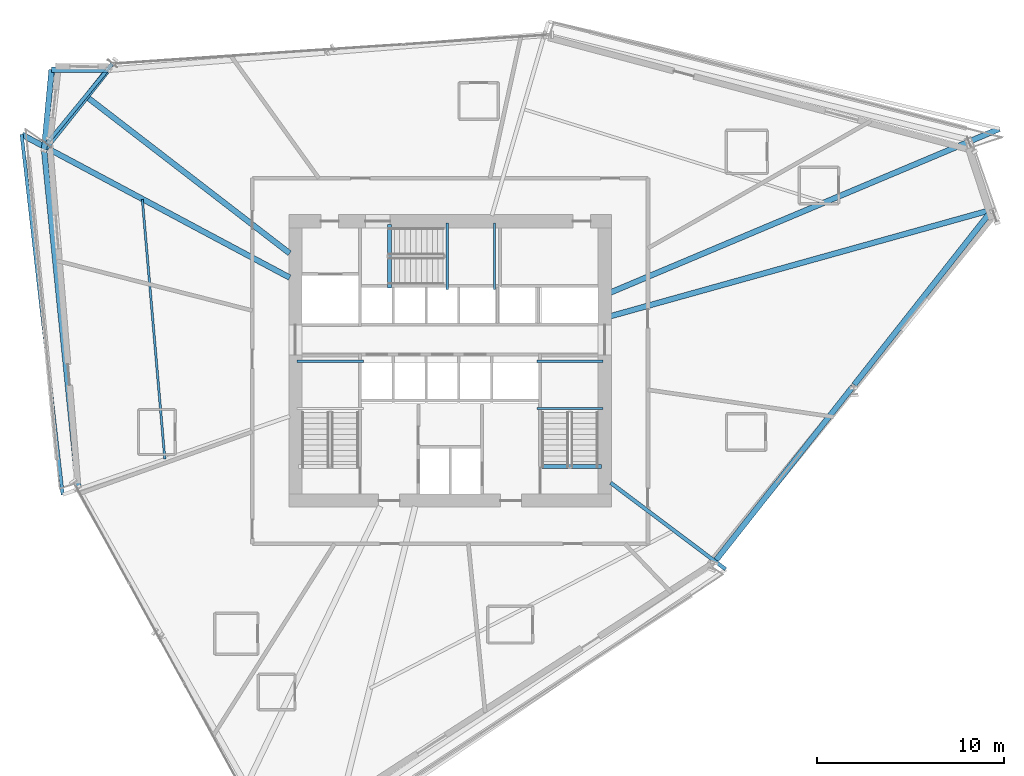
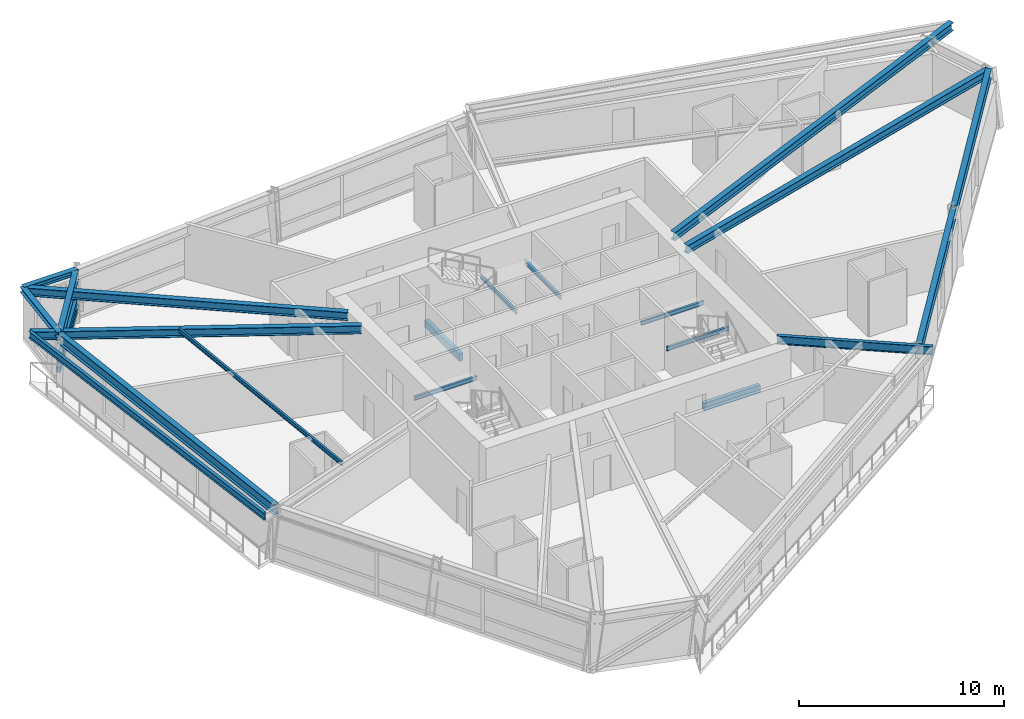
# One storey, part 6 of 21: 20 beams, 2 members.
"""IFC4 building model written with IfcOpenShell, lengths in metres."""

import ifcopenshell
import ifcopenshell.guid

model = None  # the IFC model being written
_history = None  # IfcOwnerHistory: only IFC2X3 demands one
_inside = {}  # id of a spatial element -> (the spatial element, [elements in it])
_under = {}  # id of a project, library or spatial element -> (it, [spatial elements below it])
_declared = {}  # id of a project -> (the project, [libraries it declares])
_typed = {}  # id of a type object -> (the type object, [elements of that type])
_made_of = {}  # id of a material, layer set ... -> (it, [elements and type objects made of it])


def new_model(schema):
    """Start an empty IFC model of exactly this schema.

    Asked for "IFC4X3", IfcOpenShell would pick the latest addendum, in which some entities
    have other attributes; the version numbers below select the first issue.
    IFC2X3 requires an IfcOwnerHistory on every rooted entity: one is made here for all.
    """
    global model, _history
    if schema == "IFC4X3":
        model = ifcopenshell.file(schema_version=(4, 3, 0, 0))
    else:
        model = ifcopenshell.file(schema=schema)
    _inside.clear()
    _under.clear()
    _declared.clear()
    _typed.clear()
    _made_of.clear()
    _history = None
    if model.schema == "IFC2X3":
        org = make("IfcOrganization", Name="unknown")
        user = make(
            "IfcPersonAndOrganization",
            ThePerson=make("IfcPerson", FamilyName="unknown"),
            TheOrganization=org,
        )
        app = make(
            "IfcApplication",
            ApplicationDeveloper=org,
            Version="unknown",
            ApplicationFullName="unknown",
            ApplicationIdentifier="unknown",
        )
        _history = make(
            "IfcOwnerHistory",
            OwningUser=user,
            OwningApplication=app,
            ChangeAction="ADDED",
            CreationDate=0,
        )
    return model


def make(cls, **values):
    """One entity of the class cls with the attributes given. An attribute that is None is left unset."""
    return model.create_entity(
        cls, **{name: value for name, value in values.items() if value is not None}
    )


def rooted(cls, **values):
    """An entity with a GlobalId (a new one), such as an element, a storey or a relation."""
    return make(cls, GlobalId=ifcopenshell.guid.new(), OwnerHistory=_history, **values)


def si_unit(unit_type, name, prefix=None):
    """IfcSIUnit, for example si_unit("LENGTHUNIT", "METRE", prefix="MILLI")."""
    return make("IfcSIUnit", UnitType=unit_type, Prefix=prefix, Name=name)


def assignment(units):
    """IfcUnitAssignment: the units of a project."""
    return None if units is None else make("IfcUnitAssignment", Units=units)


def point(xyz):
    """IfcCartesianPoint."""
    return None if xyz is None else make("IfcCartesianPoint", Coordinates=xyz)


def direction(xyz):
    """IfcDirection."""
    return None if xyz is None else make("IfcDirection", DirectionRatios=xyz)


def frame(location, z_axis=None, x_axis=None):
    """IfcAxis2Placement3D, a coordinate frame: its origin and axes. An axis left out is left unset."""
    return make(
        "IfcAxis2Placement3D",
        Location=point(location),
        Axis=direction(z_axis),
        RefDirection=direction(x_axis),
    )


def frame_2d(location, x_axis=None):
    """IfcAxis2Placement2D, a coordinate frame in the plane: its origin and x axis."""
    return make(
        "IfcAxis2Placement2D", Location=point(location), RefDirection=direction(x_axis)
    )


def origin():
    """The frame at (0, 0, 0) with its axes left unset."""
    return frame((0.0, 0.0, 0.0))


def origin_2d():
    """The frame at (0, 0) in the plane with its x axis left unset."""
    return frame_2d((0.0, 0.0))


def place(relative_to, where):
    """IfcLocalPlacement: puts the frame where relative to a parent placement (None: the world)."""
    return make(
        "IfcLocalPlacement", PlacementRelTo=relative_to, RelativePlacement=where
    )


def context(
    kind, dimensions, precision=None, world=None, true_north=None, identifier=None
):
    """IfcGeometricRepresentationContext, for example the 3D "Model" context."""
    return make(
        "IfcGeometricRepresentationContext",
        ContextIdentifier=identifier,
        ContextType=kind,
        CoordinateSpaceDimension=dimensions,
        Precision=precision,
        WorldCoordinateSystem=world,
        TrueNorth=true_north,
    )


def subcontext(parent, identifier, kind, view, scale=None):
    """IfcGeometricRepresentationSubContext, for example "Body" below "Model"."""
    return make(
        "IfcGeometricRepresentationSubContext",
        ContextIdentifier=identifier,
        ContextType=kind,
        ParentContext=parent,
        TargetScale=scale,
        TargetView=view,
    )


def project(units=None, contexts=None):
    """IfcProject with its units and contexts."""
    return rooted(
        "IfcProject",
        Name="project",
        RepresentationContexts=contexts,
        UnitsInContext=assignment(units),
    )


def spatial(cls, under=None, at=None, **own):
    """A site, building, storey or space (cls), placed at a placement, below another one or the project."""
    s = rooted(cls, ObjectPlacement=at, **own)
    if under is not None:
        _under.setdefault(under.id(), (under, []))[1].append(s)
    return s


def profile(cls, at=None, kind="AREA", **sizes):
    """A parametric profile (cls). Its sizes go by their IFC names, for example OverallWidth=200.0."""
    return make(cls, ProfileType=kind, Position=at, **sizes)


def rectangle(**sizes):
    """IfcRectangleProfileDef."""
    return profile("IfcRectangleProfileDef", **sizes)


def hollow_rectangle(**sizes):
    """IfcRectangleHollowProfileDef."""
    return profile("IfcRectangleHollowProfileDef", **sizes)


def i_section(**sizes):
    """IfcIShapeProfileDef."""
    return profile("IfcIShapeProfileDef", **sizes)


def extrude(swept, where, along, depth):
    """IfcExtrudedAreaSolid: the profile swept, set in the frame where, extruded along a direction by depth."""
    return make(
        "IfcExtrudedAreaSolid",
        SweptArea=swept,
        Position=where,
        ExtrudedDirection=direction(along),
        Depth=depth,
    )


def shape(context_of_items, identifier, shape_type, items):
    """IfcShapeRepresentation: the items that make up one representation, for example the "Body"."""
    return make(
        "IfcShapeRepresentation",
        ContextOfItems=context_of_items,
        RepresentationIdentifier=identifier,
        RepresentationType=shape_type,
        Items=items,
    )


def source(mapping_origin, context_of_items, identifier, shape_type, items):
    """IfcRepresentationMap: a shape defined once, which mapped items show again and again."""
    return make(
        "IfcRepresentationMap",
        MappingOrigin=mapping_origin,
        MappedRepresentation=shape(context_of_items, identifier, shape_type, items),
    )


def transform(
    local_origin,
    x_axis=None,
    y_axis=None,
    z_axis=None,
    scale=None,
    scale2=None,
    scale3=None,
    uniform=True,
):
    """IfcCartesianTransformationOperator3D, or its non-uniform kind. x_axis, y_axis, z_axis: its Axis1, 2, 3."""
    if uniform:
        return make(
            "IfcCartesianTransformationOperator3D",
            Axis1=direction(x_axis),
            Axis2=direction(y_axis),
            LocalOrigin=point(local_origin),
            Scale=scale,
            Axis3=direction(z_axis),
        )
    return make(
        "IfcCartesianTransformationOperator3DnonUniform",
        Axis1=direction(x_axis),
        Axis2=direction(y_axis),
        LocalOrigin=point(local_origin),
        Scale=scale,
        Axis3=direction(z_axis),
        Scale2=scale2,
        Scale3=scale3,
    )


def mapped(mapping_source, mapping_target):
    """IfcMappedItem: shows the shape of a source again, moved by a transform."""
    return make(
        "IfcMappedItem", MappingSource=mapping_source, MappingTarget=mapping_target
    )


def material(Name=None, Category=None):
    """IfcMaterial."""
    return make("IfcMaterial", Name=Name, Category=Category)


def material_profile(
    of_material, cross_section, Name=None, Category=None, Priority=None
):
    """IfcMaterialProfile: a cross section and its material."""
    return make(
        "IfcMaterialProfile",
        Name=Name,
        Material=of_material,
        Profile=cross_section,
        Priority=Priority,
        Category=Category,
    )


def profile_set(profiles, Name=None, composite=None):
    """IfcMaterialProfileSet."""
    return make(
        "IfcMaterialProfileSet",
        Name=Name,
        MaterialProfiles=profiles,
        CompositeProfile=composite,
    )


def made_of(thing, what):
    """Note that an element or type object is made of a material, layer set ...; save() writes the relation."""
    if what is not None:
        _made_of.setdefault(what.id(), (what, []))[1].append(thing)
    return thing


def type_object(cls, material=None, **own):
    """A type object (cls), such as IfcWallType, which elements share."""
    return made_of(rooted(cls, **own), material)


def element(
    cls,
    number,
    at=None,
    inside=None,
    cuts=None,
    type_object=None,
    material=None,
    context=None,
    identifier="Body",
    shape_type=None,
    held_by="IfcProductDefinitionShape",
    body=None,
    shapes=None,
    **own,
):
    """One element of the class cls, such as IfcWall. Its Tag is "e" and its number.

    at: its placement. inside: the storey or other place that contains it. cuts: it is an
    opening in that element (IfcRelVoidsElement). A single representation is given by context,
    identifier, shape_type and body (its items); several are given by shapes. held_by: the class
    of the entity that holds the representations. save() writes the other relations.
    """
    e = rooted(cls, Tag="e%d" % number, ObjectPlacement=at, **own)
    if body is not None:
        shapes = [shape(context, identifier, shape_type, body)]
    if shapes is not None:
        e.Representation = make(held_by, Representations=shapes)
    if inside is not None:
        _inside.setdefault(inside.id(), (inside, []))[1].append(e)
    if cuts is not None:
        rooted(
            "IfcRelVoidsElement", RelatingBuildingElement=cuts, RelatedOpeningElement=e
        )
    if type_object is not None:
        _typed.setdefault(type_object.id(), (type_object, []))[1].append(e)
    return made_of(e, material)


def aggregate(whole, parts):
    """IfcRelAggregates: a whole, such as a stair, and the parts it consists of."""
    return rooted("IfcRelAggregates", RelatingObject=whole, RelatedObjects=parts)


def save(model, path):
    """Write the relations noted so far, then the file.

    IfcRelAggregates (storeys below a building ...), IfcRelContainedInSpatialStructure (elements
    in a storey), IfcRelDefinesByType, IfcRelAssociatesMaterial and IfcRelDeclares: one each for
    every whole, place, type object, material and project.
    """
    for whole, parts in _under.values():
        aggregate(whole, parts)
    for where, things in _inside.values():
        rooted(
            "IfcRelContainedInSpatialStructure",
            RelatedElements=things,
            RelatingStructure=where,
        )
    for kind, things in _typed.values():
        rooted("IfcRelDefinesByType", RelatedObjects=things, RelatingType=kind)
    for what, things in _made_of.values():
        rooted("IfcRelAssociatesMaterial", RelatedObjects=things, RelatingMaterial=what)
    for by, libraries in _declared.values():
        rooted("IfcRelDeclares", RelatingContext=by, RelatedDefinitions=libraries)
    model.write(path)


model = new_model("IFC4")

# Units and contexts
model_context = context("Model", 3, precision=1e-05, world=origin(), true_north=direction((0.0, 1.0)))
body_context = subcontext(model_context, "Body", "Model", "MODEL_VIEW")
ifc_project = project(units=[si_unit("LENGTHUNIT", "METRE"), si_unit("AREAUNIT", "SQUARE_METRE"), si_unit("VOLUMEUNIT", "CUBIC_METRE"), si_unit("PLANEANGLEUNIT", "RADIAN"), si_unit("MASSUNIT", "GRAM", prefix="KILO")], contexts=[model_context])

# Site, building, storey
site_placement = place(None, origin())
site = spatial("IfcSite", under=ifc_project, at=site_placement, CompositionType="ELEMENT")
building_placement = place(site_placement, origin())
building = spatial("IfcBuilding", under=site, at=building_placement, Name="Olszyna Solenne Hotel", CompositionType="ELEMENT")
storey_placement = place(building_placement, frame((0.0, 0.0, 109.25)))
storey = spatial("IfcBuildingStorey", under=building, at=storey_placement, Name="L28", CompositionType="ELEMENT", Elevation=109.25)

# Beams
ifc_material_1 = material(Name="Steel S355J2", Category="steel")
ifc_material_profile_1 = material_profile(ifc_material_1, i_section(OverallWidth=0.300048828125, OverallDepth=0.60009765625, WebThickness=0.015380859375, FlangeThickness=0.030029296875, at=origin_2d()), Name="HEB 600", Category="load-bearing")
ifc_profile_set_1 = profile_set([ifc_material_profile_1], Name="Steel S355J2")
beam_type_1 = type_object("IfcBeamType", Name="BM-S2", PredefinedType="BEAM", material=ifc_profile_set_1)
shared_shape_1 = source(origin(), body_context, "Body", "SweptSolid", [
    extrude(i_section(OverallWidth=0.300048828125, OverallDepth=0.60009765625, WebThickness=0.015380859375, FlangeThickness=0.030029296875, at=origin_2d()), origin(), (0.0, 0.0, 1.0), 5.343505859375),
])
beam_1_placement = place(storey_placement, frame((19.70751953125, 42.08251953125, 3.0), z_axis=(-0.622463782687, -0.782648605214, 0.0), x_axis=(0.782648605214, -0.622463782687, 0.0)))
element("IfcBeam", 1, at=beam_1_placement, inside=storey, type_object=beam_type_1, Name="Perimeter spandrel beam BM-S2 B-L28-0843", PredefinedType="BEAM", context=body_context, shape_type="MappedRepresentation", body=[
    mapped(shared_shape_1, transform((0.0, 0.0, 0.0), x_axis=(1.0, 0.0, 0.0), y_axis=(0.0, 1.0, 0.0), z_axis=(0.0, 0.0, 1.0), scale=1.0)),
])
shared_shape_2 = source(origin(), body_context, "Body", "SweptSolid", [
    extrude(i_section(OverallWidth=0.300048828125, OverallDepth=0.60009765625, WebThickness=0.015380859375, FlangeThickness=0.030029296875, at=origin_2d()), origin(), (0.0, 0.0, 1.0), 18.061279296875),
])
beam_2_placement = place(storey_placement, frame((16.35009765625, 37.793701171875, 3.0), z_axis=(0.100690766282, -0.994917770263, 0.0), x_axis=(0.994917770263, 0.100690766282, 0.0)))
element("IfcBeam", 2, at=beam_2_placement, inside=storey, type_object=beam_type_1, Name="Perimeter spandrel beam BM-S2 B-L28-0844", PredefinedType="BEAM", context=body_context, shape_type="MappedRepresentation", body=[
    mapped(shared_shape_2, transform((0.0, 0.0, 0.0), x_axis=(1.0, 0.0, 0.0), y_axis=(0.0, 1.0, 0.0), z_axis=(0.0, 0.0, 1.0), scale=1.0)),
])
shared_shape_3 = source(origin(), body_context, "Body", "SweptSolid", [
    extrude(i_section(OverallWidth=0.300048828125, OverallDepth=0.60009765625, WebThickness=0.015380859375, FlangeThickness=0.030029296875, at=origin_2d()), origin(), (0.0, 0.0, 1.0), 11.840087890625),
])
for number, where, z_axis, x_axis, name in (
    (3, (52.147705078125, 15.93701171875, 3.0), (0.619154778961, 0.78526897283, 0.0), (-0.78526897283, 0.619154778961, 0.0), "Perimeter spandrel beam BM-S2 B-L28-0849"),
    (4, (59.552734375, 25.328857421875, 3.0), (0.619132038076, 0.785286902621, 0.0), (-0.785286902621, 0.619132038076, 0.0), "Perimeter spandrel beam BM-S2 B-L28-0850"),
):
    element("IfcBeam", number, at=place(storey_placement, frame(where, z_axis=z_axis, x_axis=x_axis)), inside=storey, type_object=beam_type_1, Name=name, PredefinedType="BEAM", context=body_context, shape_type="MappedRepresentation", body=[
        mapped(shared_shape_3, transform((0.0, 0.0, 0.0), x_axis=(1.0, 0.0, 0.0), y_axis=(0.0, 1.0, 0.0), z_axis=(0.0, 0.0, 1.0), scale=1.0)),
    ])
ifc_material_profile_2 = material_profile(ifc_material_1, i_section(OverallWidth=0.300048828125, OverallDepth=0.489990234375, WebThickness=0.011962890625, FlangeThickness=0.02294921875, at=origin_2d()), Name="HEA 500", Category="load-bearing")
ifc_profile_set_2 = profile_set([ifc_material_profile_2], Name="Steel S355J2")
beam_type_2 = type_object("IfcBeamType", Name="BM-G1", PredefinedType="BEAM", material=ifc_profile_set_2)
shared_shape_4 = source(origin(), body_context, "Body", "SweptSolid", [
    extrude(i_section(OverallWidth=0.300048828125, OverallDepth=0.489990234375, WebThickness=0.011962890625, FlangeThickness=0.02294921875, at=origin_2d()), origin(), (0.0, 0.0, 1.0), 21.087646484375),
])
beam_3_placement = place(storey_placement, frame((66.86279296875, 34.65771484375, 3.054931640625), z_axis=(-0.96316911017, -0.268896383787, 0.0), x_axis=(0.268896383787, -0.96316911017, 0.0)))
element("IfcBeam", 5, at=beam_3_placement, inside=storey, type_object=beam_type_2, Name="Radial floor girder BM-G1 B-L28-0851", PredefinedType="BEAM", context=body_context, shape_type="MappedRepresentation", body=[
    mapped(shared_shape_4, transform((0.0, 0.0, 0.0), x_axis=(1.0, 0.0, 0.0), y_axis=(0.0, 1.0, 0.0), z_axis=(0.0, 0.0, 1.0), scale=1.0)),
])
shared_shape_5 = source(origin(), body_context, "Body", "SweptSolid", [
    extrude(i_section(OverallWidth=0.300048828125, OverallDepth=0.489990234375, WebThickness=0.011962890625, FlangeThickness=0.02294921875, at=origin_2d()), origin(), (0.0, 0.0, 1.0), 22.503662109375),
])
beam_4_placement = place(storey_placement, frame((67.2958984375, 38.981201171875, 3.054931640625), z_axis=(-0.921713774899, -0.38787074801, 0.0), x_axis=(0.38787074801, -0.921713774899, 0.0)))
element("IfcBeam", 6, at=beam_4_placement, inside=storey, type_object=beam_type_2, Name="Radial floor girder BM-G1 B-L28-0852", PredefinedType="BEAM", context=body_context, shape_type="MappedRepresentation", body=[
    mapped(shared_shape_5, transform((0.0, 0.0, 0.0), x_axis=(1.0, 0.0, 0.0), y_axis=(0.0, 1.0, 0.0), z_axis=(0.0, 0.0, 1.0), scale=1.0)),
])
shared_shape_6 = source(origin(), body_context, "Body", "SweptSolid", [
    extrude(i_section(OverallWidth=0.300048828125, OverallDepth=0.489990234375, WebThickness=0.011962890625, FlangeThickness=0.02294921875, at=origin_2d()), origin(), (0.0, 0.0, 1.0), 16.01220703125),
])
beam_5_placement = place(storey_placement, frame((16.76025390625, 42.119873046875, 3.054931640625), z_axis=(0.791963195857, -0.610568830197, 0.0), x_axis=(0.610568830197, 0.791963195857, 0.0)))
element("IfcBeam", 7, at=beam_5_placement, inside=storey, type_object=beam_type_2, Name="Radial floor girder BM-G1 B-L28-0854", PredefinedType="BEAM", context=body_context, shape_type="MappedRepresentation", body=[
    mapped(shared_shape_6, transform((0.0, 0.0, 0.0), x_axis=(1.0, 0.0, 0.0), y_axis=(0.0, 1.0, 0.0), z_axis=(0.0, 0.0, 1.0), scale=1.0)),
])
shared_shape_7 = source(origin(), body_context, "Body", "SweptSolid", [
    extrude(i_section(OverallWidth=0.300048828125, OverallDepth=0.489990234375, WebThickness=0.011962890625, FlangeThickness=0.02294921875, at=origin_2d()), origin(), (0.0, 0.0, 1.0), 16.185302734375),
])
beam_6_placement = place(storey_placement, frame((15.165771484375, 38.667236328125, 3.054931640625), z_axis=(0.882196309496, -0.470881802061, 0.0), x_axis=(0.470881802061, 0.882196309496, 0.0)))
element("IfcBeam", 8, at=beam_6_placement, inside=storey, type_object=beam_type_2, Name="Radial floor girder BM-G1 B-L28-0855", PredefinedType="BEAM", context=body_context, shape_type="MappedRepresentation", body=[
    mapped(shared_shape_7, transform((0.0, 0.0, 0.0), x_axis=(1.0, 0.0, 0.0), y_axis=(0.0, 1.0, 0.0), z_axis=(0.0, 0.0, 1.0), scale=1.0)),
])
ifc_material_profile_3 = material_profile(ifc_material_1, i_section(OverallWidth=0.199951171875, OverallDepth=0.5, WebThickness=0.01025390625, FlangeThickness=0.01611328125, at=origin_2d()), Name="IPE 500", Category="load-bearing")
ifc_profile_set_3 = profile_set([ifc_material_profile_3], Name="Steel S355J2")
beam_type_3 = type_object("IfcBeamType", Name="BM-F3", PredefinedType="BEAM", material=ifc_profile_set_3)
shared_shape_8 = source(origin(), body_context, "Body", "SweptSolid", [
    extrude(i_section(OverallWidth=0.199951171875, OverallDepth=0.5, WebThickness=0.01025390625, FlangeThickness=0.01611328125, at=origin_2d()), origin(), (0.0, 0.0, 1.0), 7.67333984375),
])
beam_7_placement = place(storey_placement, frame((52.692626953125, 15.490234375, 3.050048828125), z_axis=(-0.799166910564, 0.601109182311, 0.0), x_axis=(-0.601109182311, -0.799166910564, 0.0)))
element("IfcBeam", 9, at=beam_7_placement, inside=storey, type_object=beam_type_3, Name="Radial floor girder BM-F3 B-L28-0859", PredefinedType="BEAM", context=body_context, shape_type="MappedRepresentation", body=[
    mapped(shared_shape_8, transform((0.0, 0.0, 0.0), x_axis=(1.0, 0.0, 0.0), y_axis=(0.0, 1.0, 0.0), z_axis=(0.0, 0.0, 1.0), scale=1.0)),
])
ifc_material_profile_4 = material_profile(ifc_material_1, i_section(OverallWidth=0.300048828125, OverallDepth=0.31005859375, WebThickness=0.009033203125, FlangeThickness=0.015380859375, at=origin_2d()), Name="HEA 320", Category="load-bearing")
ifc_profile_set_4 = profile_set([ifc_material_profile_4], Name="Steel S355J2")
beam_type_4 = type_object("IfcBeamType", Name="BM-G3", PredefinedType="BEAM", material=ifc_profile_set_4)
shared_shape_9 = source(origin(), body_context, "Body", "SweptSolid", [
    extrude(i_section(OverallWidth=0.300048828125, OverallDepth=0.31005859375, WebThickness=0.009033203125, FlangeThickness=0.015380859375, at=origin_2d()), origin(), (0.0, 0.0, 1.0), 3.00048828125),
])
beam_8_placement = place(storey_placement, frame((19.744873046875, 42.12939453125, 3.14501953125), z_axis=(-0.999999599455, 0.000895036257, 0.0), x_axis=(-0.000895036257, -0.999999599455, 0.0)))
element("IfcBeam", 10, at=beam_8_placement, inside=storey, type_object=beam_type_4, Name="Prism side edge beam BM-G3 B-L28-0860", PredefinedType="BEAM", context=body_context, shape_type="MappedRepresentation", body=[
    mapped(shared_shape_9, transform((0.0, 0.0, 0.0), x_axis=(1.0, 0.0, 0.0), y_axis=(0.0, 1.0, 0.0), z_axis=(0.0, 0.0, 1.0), scale=1.0)),
])
shared_shape_10 = source(origin(), body_context, "Body", "SweptSolid", [
    extrude(i_section(OverallWidth=0.300048828125, OverallDepth=0.31005859375, WebThickness=0.009033203125, FlangeThickness=0.015380859375, at=origin_2d()), origin(), (0.0, 0.0, 1.0), 4.29736328125),
])
beam_9_placement = place(storey_placement, frame((16.343994140625, 37.853515625, 3.14501953125), z_axis=(0.093173512917, 0.995649886502, 0.0), x_axis=(-0.995649886502, 0.093173512917, 0.0)))
element("IfcBeam", 11, at=beam_9_placement, inside=storey, type_object=beam_type_4, Name="Prism side edge beam BM-G3 B-L28-0861", PredefinedType="BEAM", context=body_context, shape_type="MappedRepresentation", body=[
    mapped(shared_shape_10, transform((0.0, 0.0, 0.0), x_axis=(1.0, 0.0, 0.0), y_axis=(0.0, 1.0, 0.0), z_axis=(0.0, 0.0, 1.0), scale=1.0)),
])
ifc_material_profile_5 = material_profile(ifc_material_1, i_section(OverallWidth=0.1201171875, OverallDepth=0.239990234375, WebThickness=0.006103515625, FlangeThickness=0.009765625, at=origin_2d()), Name="IPE 240", Category="load-bearing")
ifc_profile_set_5 = profile_set([ifc_material_profile_5], Name="Steel S355J2")
beam_type_5 = type_object("IfcBeamType", Name="JS-03", PredefinedType="JOIST", material=ifc_profile_set_5)
shared_shape_11 = source(origin(), body_context, "Body", "SweptSolid", [
    extrude(i_section(OverallWidth=0.1201171875, OverallDepth=0.239990234375, WebThickness=0.006103515625, FlangeThickness=0.009765625, at=origin_2d()), origin(), (0.0, 0.0, 1.0), 13.903564453125),
])
beam_10_placement = place(storey_placement, frame((21.5830078125, 35.222900390625, 3.179931640625), z_axis=(0.086340915877, -0.996265650439, 0.0), x_axis=(0.996265650439, 0.086340915877, 0.0)))
element("IfcBeam", 12, at=beam_10_placement, inside=storey, type_object=beam_type_5, Name="Secondary composite floor joist JS-03 B-L28-0863", PredefinedType="JOIST", context=body_context, shape_type="MappedRepresentation", body=[
    mapped(shared_shape_11, transform((0.0, 0.0, 0.0), x_axis=(1.0, 0.0, 0.0), y_axis=(0.0, 1.0, 0.0), z_axis=(0.0, 0.0, 1.0), scale=1.0)),
])
ifc_material_profile_6 = material_profile(ifc_material_1, i_section(OverallWidth=0.179931640625, OverallDepth=0.39990234375, WebThickness=0.008544921875, FlangeThickness=0.013427734375, at=origin_2d()), Name="IPE 400", Category="load-bearing")
ifc_profile_set_6 = profile_set([ifc_material_profile_6], Name="Steel S355J2")
beam_type_6 = type_object("IfcBeamType", Name="BM-F5", PredefinedType="BEAM", material=ifc_profile_set_6)
shared_shape_12 = source(origin(), body_context, "Body", "SweptSolid", [
    extrude(i_section(OverallWidth=0.179931640625, OverallDepth=0.39990234375, WebThickness=0.008544921875, FlangeThickness=0.013427734375, at=origin_2d()), origin(), (0.0, 0.0, 1.0), 19.33056640625),
])
beam_11_placement = place(storey_placement, frame((15.148193359375, 38.676513671875, 3.10009765625), z_axis=(0.113099551098, -0.993583661068, 0.0), x_axis=(0.993583661068, 0.113099551098, 0.0)))
element("IfcBeam", 13, at=beam_11_placement, inside=storey, type_object=beam_type_6, Name="Loggia outer edge beam BM-F5 B-L28-0866", PredefinedType="BEAM", context=body_context, shape_type="MappedRepresentation", body=[
    mapped(shared_shape_12, transform((0.0, 0.0, 0.0), x_axis=(1.0, 0.0, 0.0), y_axis=(0.0, 1.0, 0.0), z_axis=(0.0, 0.0, 1.0), scale=1.0)),
])

# Members
ifc_material_profile_7 = material_profile(ifc_material_1, hollow_rectangle(XDim=0.199951171875, YDim=0.300048828125, WallThickness=0.01611328125, at=origin_2d()), Name="RHS 300x200x16", Category="load-bearing")
ifc_profile_set_7 = profile_set([ifc_material_profile_7], Name="Steel S355J2")
member_type = type_object("IfcMemberType", Name="CH-PR1", PredefinedType="CHORD", material=ifc_profile_set_7)
shared_shape_13 = source(origin(), body_context, "Body", "SweptSolid", [
    extrude(hollow_rectangle(XDim=0.199951171875, YDim=0.300048828125, WallThickness=0.01611328125, at=origin_2d()), origin(), (0.0, 0.0, 1.0), 5.516357421875),
])
for number, where, z_axis, x_axis, name in (
    (14, (19.980224609375, 42.451171875, 1.35009765625), (-0.634687513663, -0.772768891714, 0.0), (0.772768891714, -0.634687513663, 0.0), "Glass-prism tie chord CH-PR1 M-L28-PR1"),
    (15, (19.980224609375, 42.451171875, 0.780029296875), (-0.634687513663, -0.772768891714, 0.0), (0.772768891714, -0.634687513663, 0.0), "Glass-prism tie chord CH-PR1 M-L28-PR2"),
):
    element("IfcMember", number, at=place(storey_placement, frame(where, z_axis=z_axis, x_axis=x_axis)), inside=storey, type_object=member_type, Name=name, PredefinedType="CHORD", context=body_context, shape_type="MappedRepresentation", body=[
        mapped(shared_shape_13, transform((0.0, 0.0, 0.0), x_axis=(1.0, 0.0, 0.0), y_axis=(0.0, 1.0, 0.0), z_axis=(0.0, 0.0, 1.0), scale=1.0)),
    ])

# Beams
shared_shape_14 = source(origin(), body_context, "Body", "SweptSolid", [
    extrude(i_section(OverallWidth=0.1201171875, OverallDepth=0.239990234375, WebThickness=0.006103515625, FlangeThickness=0.009765625, at=origin_2d()), origin(), (0.0, 0.0, 1.0), 3.539794921875),
])
for number, where, z_axis, x_axis, name in (
    (16, (33.3798828125, 26.580078125, 1.449951171875), (-1.0, 0.0, 0.0), (0.0, -1.0, 0.0), "Stair landing support beam JS-03 SLB-ST1-0062"),
    (17, (46.159912109375, 24.070068359375, 1.449951171875), (-1.0, 0.0, 0.0), (0.0, -1.0, 0.0), "Stair landing support beam JS-03 SLB-ST2-0301"),
    (18, (46.159912109375, 26.580078125, 1.449951171875), (-1.0, 0.0, 0.0), (0.0, -1.0, 0.0), "Stair landing support beam JS-03 SLB-ST2-0302"),
):
    element("IfcBeam", number, at=place(storey_placement, frame(where, z_axis=z_axis, x_axis=x_axis)), inside=storey, type_object=beam_type_5, Name=name, PredefinedType="JOIST", context=body_context, shape_type="MappedRepresentation", body=[
        mapped(shared_shape_14, transform((0.0, 0.0, 0.0), x_axis=(1.0, 0.0, 0.0), y_axis=(0.0, 1.0, 0.0), z_axis=(0.0, 0.0, 1.0), scale=1.0)),
    ])
ifc_material_2 = material(Name="Concrete C50/60", Category="concrete")
ifc_material_profile_8 = material_profile(ifc_material_2, rectangle(XDim=0.219970703125, YDim=0.43994140625, at=origin_2d()), Name="RC 220x440", Category="load-bearing")
ifc_profile_set_8 = profile_set([ifc_material_profile_8], Name="Concrete C50/60")
beam_type_7 = type_object("IfcBeamType", Name="BM-ST1", PredefinedType="BEAM", material=ifc_profile_set_8)
shared_shape_15 = source(origin(), body_context, "Body", "SweptSolid", [
    extrude(rectangle(XDim=0.219970703125, YDim=0.43994140625, at=origin_2d()), origin(), (0.0, 0.0, 1.0), 3.18017578125),
])
beam_12_placement = place(storey_placement, frame((46.080078125, 20.97998046875, -0.205078125), z_axis=(-1.0, 0.0, 0.0), x_axis=(0.0, -1.0, 0.0)))
element("IfcBeam", 19, at=beam_12_placement, inside=storey, type_object=beam_type_7, Name="Concrete stair trimmer beam BM-ST1 SHB-ST2-0430", PredefinedType="BEAM", context=body_context, shape_type="MappedRepresentation", body=[
    mapped(shared_shape_15, transform((0.0, 0.0, 0.0), x_axis=(1.0, 0.0, 0.0), y_axis=(0.0, 1.0, 0.0), z_axis=(0.0, 0.0, 1.0), scale=1.0)),
])
shared_shape_16 = source(origin(), body_context, "Body", "SweptSolid", [
    extrude(i_section(OverallWidth=0.1201171875, OverallDepth=0.239990234375, WebThickness=0.006103515625, FlangeThickness=0.009765625, at=origin_2d()), origin(), (0.0, 0.0, 1.0), 3.5400390625),
])
for number, where, z_axis, x_axis, name in (
    (20, (37.85009765625, 30.419921875, 1.449951171875), (0.0, 1.0, 0.0), (-1.0, 0.0, 0.0), "Stair landing support beam JS-03 SLB-ST3-0541"),
    (21, (40.360107421875, 30.419921875, 1.449951171875), (0.0, 1.0, 0.0), (-1.0, 0.0, 0.0), "Stair landing support beam JS-03 SLB-ST3-0542"),
):
    element("IfcBeam", number, at=place(storey_placement, frame(where, z_axis=z_axis, x_axis=x_axis)), inside=storey, type_object=beam_type_5, Name=name, PredefinedType="JOIST", context=body_context, shape_type="MappedRepresentation", body=[
        mapped(shared_shape_16, transform((0.0, 0.0, 0.0), x_axis=(1.0, 0.0, 0.0), y_axis=(0.0, 1.0, 0.0), z_axis=(0.0, 0.0, 1.0), scale=1.0)),
    ])
shared_shape_17 = source(origin(), body_context, "Body", "SweptSolid", [
    extrude(rectangle(XDim=0.219970703125, YDim=0.43994140625, at=origin_2d()), origin(), (0.0, 0.0, 1.0), 3.3798828125),
])
beam_13_placement = place(storey_placement, frame((34.760009765625, 30.5, -0.205078125), z_axis=(0.0, 1.0, 0.0), x_axis=(-1.0, 0.0, 0.0)))
element("IfcBeam", 22, at=beam_13_placement, inside=storey, type_object=beam_type_7, Name="Concrete stair trimmer beam BM-ST1 SHB-ST3-0668", PredefinedType="BEAM", context=body_context, shape_type="MappedRepresentation", body=[
    mapped(shared_shape_17, transform((0.0, 0.0, 0.0), x_axis=(1.0, 0.0, 0.0), y_axis=(0.0, 1.0, 0.0), z_axis=(0.0, 0.0, 1.0), scale=1.0)),
])

save(model, "model.ifc")
